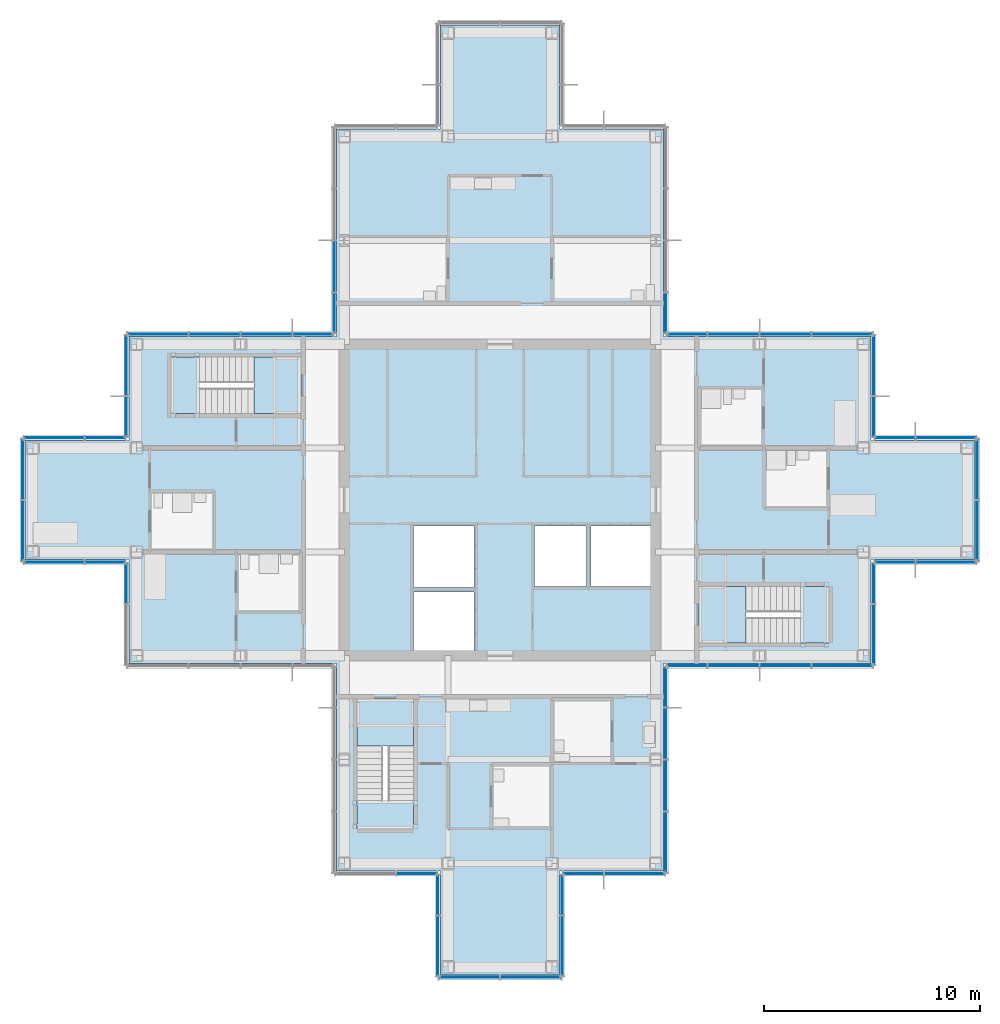
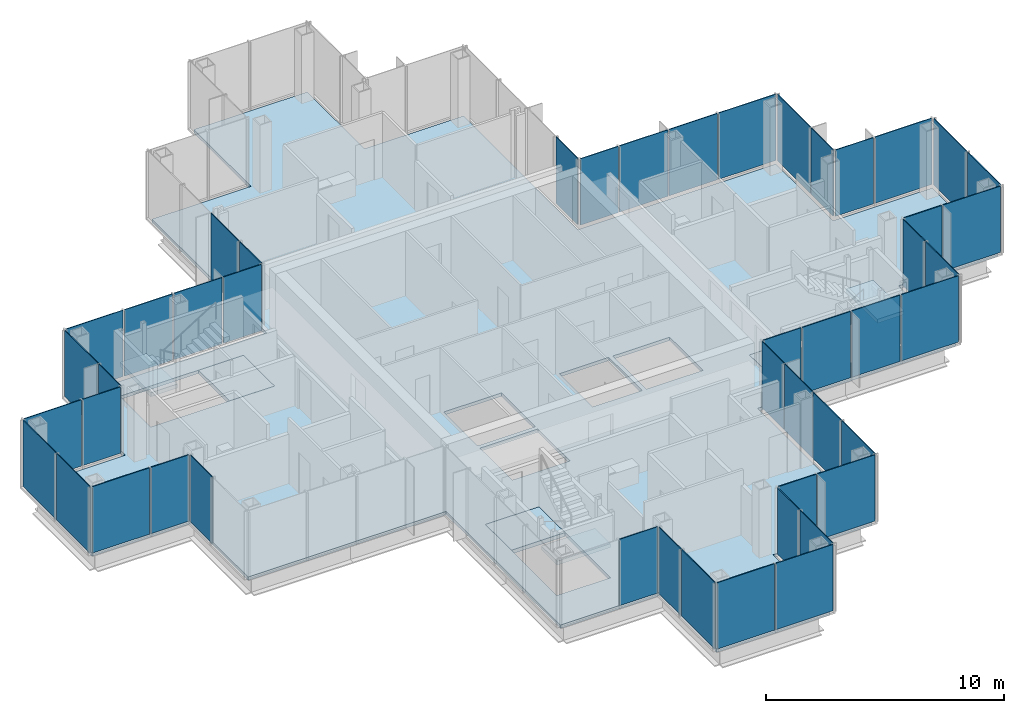
# One storey, part 10 of 17: 47 plates, 7 slabs, 24 elements without a shape of their own.
"""IFC4 building model written with IfcOpenShell, lengths in metres."""

from ifc_helpers import new_model, si_unit, direction, frame, origin, origin_2d, place, context, subcontext, project, spatial, polyline, rectangle, outline, extrude, material, layer, layer_set, type_object, element, aggregate, save


model = new_model("IFC4")

# Units and contexts
model_context = context("Model", 3, precision=1e-05, world=origin(), true_north=direction((0.0, 1.0)))
body_context = subcontext(model_context, "Body", "Model", "MODEL_VIEW")
ifc_project = project(units=[si_unit("LENGTHUNIT", "METRE"), si_unit("AREAUNIT", "SQUARE_METRE"), si_unit("VOLUMEUNIT", "CUBIC_METRE"), si_unit("PLANEANGLEUNIT", "RADIAN"), si_unit("MASSUNIT", "GRAM", prefix="KILO")], contexts=[model_context])

# Site, building, storey
site_placement = place(None, origin())
site = spatial("IfcSite", under=ifc_project, at=site_placement, CompositionType="ELEMENT")
building_placement = place(site_placement, origin())
building = spatial("IfcBuilding", under=site, at=building_placement, Name="Kvirike Care Tower", CompositionType="ELEMENT")
storey_placement = place(building_placement, frame((0.0, 0.0, 158.5)))
storey = spatial("IfcBuildingStorey", under=building, at=storey_placement, Name="L43", CompositionType="ELEMENT", Elevation=158.5)

# Slab
ifc_material_1 = material(Name="Concrete C35/45", Category="concrete")
ifc_layer_1 = layer(ifc_material_1, 0.169921875)
ifc_layer_set_1 = layer_set([ifc_layer_1], Name="FLOOR SLAB 170")
slab_type_1 = type_object("IfcSlabType", Name="FLOOR SLAB 170", PredefinedType="FLOOR", material=ifc_layer_set_1)
slab_1_placement = place(storey_placement, frame((0.0, 0.0, -0.169921875)))
element("IfcSlab", 1, at=slab_1_placement, inside=storey, type_object=slab_type_1, Name="Floor slab L43", PredefinedType="FLOOR", context=body_context, shape_type="SweptSolid", body=[
    extrude(outline(polyline([(29.14990234375, 28.449951171875), (38.75, 28.449951171875), (38.75, 33.25), (43.550048828125, 33.25), (43.550048828125, 38.75), (38.75, 38.75), (38.75, 43.550048828125), (29.14990234375, 43.550048828125), (29.14990234375, 53.14990234375), (24.35009765625, 53.14990234375), (24.35009765625, 57.949951171875), (18.85009765625, 57.949951171875), (18.85009765625, 53.14990234375), (14.050048828125, 53.14990234375), (14.050048828125, 43.550048828125), (4.449951171875, 43.550048828125), (4.449951171875, 38.75), (-0.35009765625, 38.75), (-0.35009765625, 33.25), (4.449951171875, 33.25), (4.449951171875, 28.449951171875), (14.050048828125, 28.449951171875), (14.050048828125, 18.85009765625), (18.85009765625, 18.85009765625), (18.85009765625, 14.050048828125), (24.35009765625, 14.050048828125), (24.35009765625, 18.85009765625), (29.14990234375, 18.85009765625), (29.14990234375, 28.449951171875)]), holes=[polyline([(17.60009765625, 29.050048828125), (17.60009765625, 31.75), (20.39990234375, 31.75), (20.39990234375, 29.050048828125), (17.60009765625, 29.050048828125)]), polyline([(17.60009765625, 31.949951171875), (17.60009765625, 34.800048828125), (20.39990234375, 34.800048828125), (20.39990234375, 31.949951171875), (17.60009765625, 31.949951171875)]), polyline([(23.199951171875, 32.0), (23.199951171875, 34.800048828125), (25.60009765625, 34.800048828125), (25.60009765625, 32.0), (23.199951171875, 32.0)]), polyline([(25.800048828125, 32.0), (25.800048828125, 34.800048828125), (28.550048828125, 34.800048828125), (28.550048828125, 32.0), (25.800048828125, 32.0)]), polyline([(12.39990234375, 42.60009765625), (12.39990234375, 40.0), (6.39990234375, 40.0), (6.39990234375, 42.60009765625), (12.39990234375, 42.60009765625)]), polyline([(30.800048828125, 29.39990234375), (30.800048828125, 32.0), (36.800048828125, 32.0), (36.800048828125, 29.39990234375), (30.800048828125, 29.39990234375)]), polyline([(15.0, 26.800048828125), (17.60009765625, 26.800048828125), (17.60009765625, 20.800048828125), (15.0, 20.800048828125), (15.0, 26.800048828125)])]), origin(), (0.0, 0.0, 1.0), 0.169921875),
])

# Stair, slabs
ifc_material_2 = material(Name="Concrete C35/45", Category="concrete")
stair_type = type_object("IfcStairType", Name="STAIR 20 RISERS", PredefinedType="HALF_TURN_STAIR", material=ifc_material_2)
stair_1_placement = place(storey_placement, origin())
stair_1 = element("IfcStair", 2, at=stair_1_placement, inside=storey, type_object=stair_type, Name="Stair 1 L43", PredefinedType="HALF_TURN_STAIR")
ifc_material_3 = material(Name="Concrete C35/45", Category="concrete")
ifc_layer_2 = layer(ifc_material_3, 0.199951171875)
ifc_layer_set_2 = layer_set([ifc_layer_2], Name="STAIR LANDING 200")
slab_type_2 = type_object("IfcSlabType", Name="STAIR LANDING 200", PredefinedType="LANDING", material=ifc_layer_set_2)
slab_2_placement = place(storey_placement, frame((0.0, 0.0, -0.199951171875)))
slab_2 = element("IfcSlab", 3, at=slab_2_placement, type_object=slab_type_2, Name="Stair S1 floor landing L43", PredefinedType="LANDING", context=body_context, shape_type="SweptSolid", body=[
    extrude(outline(polyline([(10.219970703125, 42.60009765625), (10.219970703125, 40.0), (12.39990234375, 40.0), (12.39990234375, 42.60009765625), (10.219970703125, 42.60009765625)])), origin(), (0.0, 0.0, 1.0), 0.199951171875),
])
slab_3_placement = place(storey_placement, frame((0.0, 0.0, 1.550048828125)))
slab_3 = element("IfcSlab", 4, at=slab_3_placement, type_object=slab_type_2, Name="Stair S1 half landing L43-L44", PredefinedType="LANDING", context=body_context, shape_type="SweptSolid", body=[
    extrude(outline(polyline([(6.39990234375, 42.60009765625), (6.39990234375, 40.0), (7.699951171875, 40.0), (7.699951171875, 42.60009765625), (6.39990234375, 42.60009765625)])), origin(), (0.0, 0.0, 1.0), 0.199951171875),
])
aggregate(stair_1, [slab_2, slab_3])

stair_2_placement = place(storey_placement, origin())
stair_2 = element("IfcStair", 5, at=stair_2_placement, inside=storey, type_object=stair_type, Name="Stair 2 L43", PredefinedType="HALF_TURN_STAIR")
slab_4_placement = place(storey_placement, frame((0.0, 0.0, -0.199951171875)))
slab_4 = element("IfcSlab", 6, at=slab_4_placement, type_object=slab_type_2, Name="Stair S2 floor landing L43", PredefinedType="LANDING", context=body_context, shape_type="SweptSolid", body=[
    extrude(outline(polyline([(32.97998046875, 29.39990234375), (32.97998046875, 32.0), (30.800048828125, 32.0), (30.800048828125, 29.39990234375), (32.97998046875, 29.39990234375)])), origin(), (0.0, 0.0, 1.0), 0.199951171875),
])
slab_5_placement = place(storey_placement, frame((0.0, 0.0, 1.550048828125)))
slab_5 = element("IfcSlab", 7, at=slab_5_placement, type_object=slab_type_2, Name="Stair S2 half landing L43-L44", PredefinedType="LANDING", context=body_context, shape_type="SweptSolid", body=[
    extrude(outline(polyline([(36.800048828125, 29.39990234375), (36.800048828125, 32.0), (35.5, 32.0), (35.5, 29.39990234375), (36.800048828125, 29.39990234375)])), origin(), (0.0, 0.0, 1.0), 0.199951171875),
])
aggregate(stair_2, [slab_4, slab_5])

stair_3_placement = place(storey_placement, origin())
stair_3 = element("IfcStair", 8, at=stair_3_placement, inside=storey, type_object=stair_type, Name="Stair 5 L43", PredefinedType="HALF_TURN_STAIR")
slab_6_placement = place(storey_placement, frame((0.0, 0.0, -0.199951171875)))
slab_6 = element("IfcSlab", 9, at=slab_6_placement, type_object=slab_type_2, Name="Stair S5 floor landing L43", PredefinedType="LANDING", context=body_context, shape_type="SweptSolid", body=[
    extrude(outline(polyline([(15.0, 24.6201171875), (17.60009765625, 24.6201171875), (17.60009765625, 26.800048828125), (15.0, 26.800048828125), (15.0, 24.6201171875)])), origin(), (0.0, 0.0, 1.0), 0.199951171875),
])
slab_7_placement = place(storey_placement, frame((0.0, 0.0, 1.550048828125)))
slab_7 = element("IfcSlab", 10, at=slab_7_placement, type_object=slab_type_2, Name="Stair S5 half landing L43-L44", PredefinedType="LANDING", context=body_context, shape_type="SweptSolid", body=[
    extrude(outline(polyline([(15.0, 20.800048828125), (17.60009765625, 20.800048828125), (17.60009765625, 22.10009765625), (15.0, 22.10009765625), (15.0, 20.800048828125)])), origin(), (0.0, 0.0, 1.0), 0.199951171875),
])
aggregate(stair_3, [slab_6, slab_7])

# Curtain wall, plates
ifc_material_4 = material(Name="Anodised aluminium stick system", Category="aluminium")
curtain_wall_type = type_object("IfcCurtainWallType", Name="CW-C STICK CURTAIN WALL", PredefinedType="NOTDEFINED", material=ifc_material_4)
curtain_wall_1_placement = place(storey_placement, origin())
curtain_wall_1 = element("IfcCurtainWall", 11, at=curtain_wall_1_placement, inside=storey, type_object=curtain_wall_type, Name="Curtain wall L43 face 1", PredefinedType="NOTDEFINED")
ifc_material_5 = material(Name="Tinted double glazed unit", Category="glass")
ifc_layer_3 = layer(ifc_material_5, 0.0400390625)
ifc_layer_set_3 = layer_set([ifc_layer_3], Name="TINTED VISION PANEL 40")
plate_type = type_object("IfcPlateType", Name="TINTED VISION PANEL 40", PredefinedType="CURTAIN_PANEL", material=ifc_layer_set_3)
plate_1_placement = place(storey_placement, frame((30.251220703125, 28.330078125, 0.10009765625), z_axis=(0.0, 0.0, 1.0), x_axis=(1.0, 0.0, 0.0)))
plate_1 = element("IfcPlate", 12, at=plate_1_placement, type_object=plate_type, Name="CW-C panel L43 face 1.1", PredefinedType="CURTAIN_PANEL", context=body_context, shape_type="SweptSolid", body=[
    extrude(rectangle(XDim=1.83251953125, YDim=0.0400390625, at=origin_2d()), origin(), (0.0, 0.0, 1.0), 3.39990234375),
])
plate_2_placement = place(storey_placement, frame((32.39990234375, 28.330078125, 0.10009765625), z_axis=(0.0, 0.0, 1.0), x_axis=(1.0, 0.0, 0.0)))
plate_2 = element("IfcPlate", 13, at=plate_2_placement, type_object=plate_type, Name="CW-C panel L43 face 1.2", PredefinedType="CURTAIN_PANEL", context=body_context, shape_type="SweptSolid", body=[
    extrude(rectangle(XDim=2.3349609375, YDim=0.0400390625, at=origin_2d()), origin(), (0.0, 0.0, 1.0), 3.39990234375),
])
plate_3_placement = place(storey_placement, frame((34.800048828125, 28.330078125, 0.10009765625), z_axis=(0.0, 0.0, 1.0), x_axis=(1.0, 0.0, 0.0)))
plate_3 = element("IfcPlate", 14, at=plate_3_placement, type_object=plate_type, Name="CW-C panel L43 face 1.3", PredefinedType="CURTAIN_PANEL", context=body_context, shape_type="SweptSolid", body=[
    extrude(rectangle(XDim=2.3349609375, YDim=0.0400390625, at=origin_2d()), origin(), (0.0, 0.0, 1.0), 3.39990234375),
])
plate_4_placement = place(storey_placement, frame((37.418701171875, 28.330078125, 0.10009765625), z_axis=(0.0, 0.0, 1.0), x_axis=(1.0, 0.0, 0.0)))
plate_4 = element("IfcPlate", 15, at=plate_4_placement, type_object=plate_type, Name="CW-C panel L43 face 1.4", PredefinedType="CURTAIN_PANEL", context=body_context, shape_type="SweptSolid", body=[
    extrude(rectangle(XDim=2.7724609375, YDim=0.0400390625, at=origin_2d()), origin(), (0.0, 0.0, 1.0), 3.39990234375),
])
aggregate(curtain_wall_1, [plate_1, plate_2, plate_3, plate_4])

curtain_wall_2_placement = place(storey_placement, origin())
curtain_wall_2 = element("IfcCurtainWall", 16, at=curtain_wall_2_placement, inside=storey, type_object=curtain_wall_type, Name="Curtain wall L43 face 2", PredefinedType="NOTDEFINED")
plate_5_placement = place(storey_placement, frame((38.8701171875, 29.78125, 0.10009765625), z_axis=(0.0, 0.0, 1.0), x_axis=(0.0, 1.0, 0.0)))
plate_5 = element("IfcPlate", 17, at=plate_5_placement, type_object=plate_type, Name="CW-C panel L43 face 2.1", PredefinedType="CURTAIN_PANEL", context=body_context, shape_type="SweptSolid", body=[
    extrude(rectangle(XDim=2.7724609375, YDim=0.0400390625, at=origin_2d()), origin(), (0.0, 0.0, 1.0), 3.39990234375),
])
plate_6_placement = place(storey_placement, frame((38.8701171875, 32.148681640625, 0.10009765625), z_axis=(0.0, 0.0, 1.0), x_axis=(0.0, 1.0, 0.0)))
plate_6 = element("IfcPlate", 18, at=plate_6_placement, type_object=plate_type, Name="CW-C panel L43 face 2.2", PredefinedType="CURTAIN_PANEL", context=body_context, shape_type="SweptSolid", body=[
    extrude(rectangle(XDim=1.83251953125, YDim=0.0400390625, at=origin_2d()), origin(), (0.0, 0.0, 1.0), 3.39990234375),
])
aggregate(curtain_wall_2, [plate_5, plate_6])

curtain_wall_3_placement = place(storey_placement, origin())
curtain_wall_3 = element("IfcCurtainWall", 19, at=curtain_wall_3_placement, inside=storey, type_object=curtain_wall_type, Name="Curtain wall L43 face 3", PredefinedType="NOTDEFINED")
plate_7_placement = place(storey_placement, frame((39.851318359375, 33.1298828125, 0.10009765625), z_axis=(0.0, 0.0, 1.0), x_axis=(1.0, 0.0, 0.0)))
plate_7 = element("IfcPlate", 20, at=plate_7_placement, type_object=plate_type, Name="CW-C panel L43 face 3.1", PredefinedType="CURTAIN_PANEL", context=body_context, shape_type="SweptSolid", body=[
    extrude(rectangle(XDim=1.83251953125, YDim=0.0400390625, at=origin_2d()), origin(), (0.0, 0.0, 1.0), 3.39990234375),
])
plate_8_placement = place(storey_placement, frame((42.21875, 33.1298828125, 0.10009765625), z_axis=(0.0, 0.0, 1.0), x_axis=(1.0, 0.0, 0.0)))
plate_8 = element("IfcPlate", 21, at=plate_8_placement, type_object=plate_type, Name="CW-C panel L43 face 3.2", PredefinedType="CURTAIN_PANEL", context=body_context, shape_type="SweptSolid", body=[
    extrude(rectangle(XDim=2.7724609375, YDim=0.0400390625, at=origin_2d()), origin(), (0.0, 0.0, 1.0), 3.39990234375),
])
aggregate(curtain_wall_3, [plate_7, plate_8])

curtain_wall_4_placement = place(storey_placement, origin())
curtain_wall_4 = element("IfcCurtainWall", 22, at=curtain_wall_4_placement, inside=storey, type_object=curtain_wall_type, Name="Curtain wall L43 face 4", PredefinedType="NOTDEFINED")
plate_9_placement = place(storey_placement, frame((43.669921875, 34.581298828125, 0.10009765625), z_axis=(0.0, 0.0, 1.0), x_axis=(0.0, 1.0, 0.0)))
plate_9 = element("IfcPlate", 23, at=plate_9_placement, type_object=plate_type, Name="CW-C panel L43 face 4.1", PredefinedType="CURTAIN_PANEL", context=body_context, shape_type="SweptSolid", body=[
    extrude(rectangle(XDim=2.7724609375, YDim=0.0400390625, at=origin_2d()), origin(), (0.0, 0.0, 1.0), 3.39990234375),
])
plate_10_placement = place(storey_placement, frame((43.669921875, 37.418701171875, 0.10009765625), z_axis=(0.0, 0.0, 1.0), x_axis=(0.0, 1.0, 0.0)))
plate_10 = element("IfcPlate", 24, at=plate_10_placement, type_object=plate_type, Name="CW-C panel L43 face 4.2", PredefinedType="CURTAIN_PANEL", context=body_context, shape_type="SweptSolid", body=[
    extrude(rectangle(XDim=2.7724609375, YDim=0.0400390625, at=origin_2d()), origin(), (0.0, 0.0, 1.0), 3.39990234375),
])
aggregate(curtain_wall_4, [plate_9, plate_10])

curtain_wall_5_placement = place(storey_placement, origin())
curtain_wall_5 = element("IfcCurtainWall", 25, at=curtain_wall_5_placement, inside=storey, type_object=curtain_wall_type, Name="Curtain wall L43 face 5", PredefinedType="NOTDEFINED")
plate_11_placement = place(storey_placement, frame((42.21875, 38.8701171875, 0.10009765625), z_axis=(0.0, 0.0, 1.0), x_axis=(-1.0, 0.0, 0.0)))
plate_11 = element("IfcPlate", 26, at=plate_11_placement, type_object=plate_type, Name="CW-C panel L43 face 5.1", PredefinedType="CURTAIN_PANEL", context=body_context, shape_type="SweptSolid", body=[
    extrude(rectangle(XDim=2.7724609375, YDim=0.0400390625, at=origin_2d()), origin(), (0.0, 0.0, 1.0), 3.39990234375),
])
plate_12_placement = place(storey_placement, frame((39.851318359375, 38.8701171875, 0.10009765625), z_axis=(0.0, 0.0, 1.0), x_axis=(-1.0, 0.0, 0.0)))
plate_12 = element("IfcPlate", 27, at=plate_12_placement, type_object=plate_type, Name="CW-C panel L43 face 5.2", PredefinedType="CURTAIN_PANEL", context=body_context, shape_type="SweptSolid", body=[
    extrude(rectangle(XDim=1.83251953125, YDim=0.0400390625, at=origin_2d()), origin(), (0.0, 0.0, 1.0), 3.39990234375),
])
aggregate(curtain_wall_5, [plate_11, plate_12])

curtain_wall_6_placement = place(storey_placement, origin())
curtain_wall_6 = element("IfcCurtainWall", 28, at=curtain_wall_6_placement, inside=storey, type_object=curtain_wall_type, Name="Curtain wall L43 face 6", PredefinedType="NOTDEFINED")
plate_13_placement = place(storey_placement, frame((38.8701171875, 39.851318359375, 0.10009765625), z_axis=(0.0, 0.0, 1.0), x_axis=(0.0, 1.0, 0.0)))
plate_13 = element("IfcPlate", 29, at=plate_13_placement, type_object=plate_type, Name="CW-C panel L43 face 6.1", PredefinedType="CURTAIN_PANEL", context=body_context, shape_type="SweptSolid", body=[
    extrude(rectangle(XDim=1.83251953125, YDim=0.0400390625, at=origin_2d()), origin(), (0.0, 0.0, 1.0), 3.39990234375),
])
plate_14_placement = place(storey_placement, frame((38.8701171875, 42.21875, 0.10009765625), z_axis=(0.0, 0.0, 1.0), x_axis=(0.0, 1.0, 0.0)))
plate_14 = element("IfcPlate", 30, at=plate_14_placement, type_object=plate_type, Name="CW-C panel L43 face 6.2", PredefinedType="CURTAIN_PANEL", context=body_context, shape_type="SweptSolid", body=[
    extrude(rectangle(XDim=2.7724609375, YDim=0.0400390625, at=origin_2d()), origin(), (0.0, 0.0, 1.0), 3.39990234375),
])
aggregate(curtain_wall_6, [plate_13, plate_14])

curtain_wall_7_placement = place(storey_placement, origin())
curtain_wall_7 = element("IfcCurtainWall", 31, at=curtain_wall_7_placement, inside=storey, type_object=curtain_wall_type, Name="Curtain wall L43 face 7", PredefinedType="NOTDEFINED")
plate_15_placement = place(storey_placement, frame((37.418701171875, 43.669921875, 0.10009765625), z_axis=(0.0, 0.0, 1.0), x_axis=(-1.0, 0.0, 0.0)))
plate_15 = element("IfcPlate", 32, at=plate_15_placement, type_object=plate_type, Name="CW-C panel L43 face 7.1", PredefinedType="CURTAIN_PANEL", context=body_context, shape_type="SweptSolid", body=[
    extrude(rectangle(XDim=2.7724609375, YDim=0.0400390625, at=origin_2d()), origin(), (0.0, 0.0, 1.0), 3.39990234375),
])
plate_16_placement = place(storey_placement, frame((34.800048828125, 43.669921875, 0.10009765625), z_axis=(0.0, 0.0, 1.0), x_axis=(-1.0, 0.0, 0.0)))
plate_16 = element("IfcPlate", 33, at=plate_16_placement, type_object=plate_type, Name="CW-C panel L43 face 7.2", PredefinedType="CURTAIN_PANEL", context=body_context, shape_type="SweptSolid", body=[
    extrude(rectangle(XDim=2.3349609375, YDim=0.0400390625, at=origin_2d()), origin(), (0.0, 0.0, 1.0), 3.39990234375),
])
plate_17_placement = place(storey_placement, frame((32.39990234375, 43.669921875, 0.10009765625), z_axis=(0.0, 0.0, 1.0), x_axis=(-1.0, 0.0, 0.0)))
plate_17 = element("IfcPlate", 34, at=plate_17_placement, type_object=plate_type, Name="CW-C panel L43 face 7.3", PredefinedType="CURTAIN_PANEL", context=body_context, shape_type="SweptSolid", body=[
    extrude(rectangle(XDim=2.3349609375, YDim=0.0400390625, at=origin_2d()), origin(), (0.0, 0.0, 1.0), 3.39990234375),
])
plate_18_placement = place(storey_placement, frame((30.251220703125, 43.669921875, 0.10009765625), z_axis=(0.0, 0.0, 1.0), x_axis=(-1.0, 0.0, 0.0)))
plate_18 = element("IfcPlate", 35, at=plate_18_placement, type_object=plate_type, Name="CW-C panel L43 face 7.4", PredefinedType="CURTAIN_PANEL", context=body_context, shape_type="SweptSolid", body=[
    extrude(rectangle(XDim=1.83251953125, YDim=0.0400390625, at=origin_2d()), origin(), (0.0, 0.0, 1.0), 3.39990234375),
])
aggregate(curtain_wall_7, [plate_15, plate_16, plate_17, plate_18])

# Curtain wall, plate
curtain_wall_8_placement = place(storey_placement, origin())
curtain_wall_8 = element("IfcCurtainWall", 36, at=curtain_wall_8_placement, inside=storey, type_object=curtain_wall_type, Name="Curtain wall L43 face 8", PredefinedType="NOTDEFINED")
plate_19_placement = place(storey_placement, frame((29.27001953125, 44.6513671875, 0.10009765625), z_axis=(0.0, 0.0, 1.0), x_axis=(0.0, 1.0, 0.0)))
plate_19 = element("IfcPlate", 37, at=plate_19_placement, type_object=plate_type, Name="CW-C panel L43 face 8.1", PredefinedType="CURTAIN_PANEL", context=body_context, shape_type="SweptSolid", body=[
    extrude(rectangle(XDim=1.83251953125, YDim=0.0400390625, at=origin_2d()), origin(), (0.0, 0.0, 1.0), 3.39990234375),
])
aggregate(curtain_wall_8, [plate_19])

# Curtain wall, plates
curtain_wall_9_placement = place(storey_placement, origin())
curtain_wall_9 = element("IfcCurtainWall", 38, at=curtain_wall_9_placement, inside=storey, type_object=curtain_wall_type, Name="Curtain wall L43 face 14", PredefinedType="NOTDEFINED")
plate_20_placement = place(storey_placement, frame((13.929931640625, 46.800048828125, 0.10009765625), z_axis=(0.0, 0.0, 1.0), x_axis=(0.0, -1.0, 0.0)))
plate_20 = element("IfcPlate", 39, at=plate_20_placement, type_object=plate_type, Name="CW-C panel L43 face 14.3", PredefinedType="CURTAIN_PANEL", context=body_context, shape_type="SweptSolid", body=[
    extrude(rectangle(XDim=2.3349609375, YDim=0.0400390625, at=origin_2d()), origin(), (0.0, 0.0, 1.0), 3.39990234375),
])
plate_21_placement = place(storey_placement, frame((13.929931640625, 44.6513671875, 0.10009765625), z_axis=(0.0, 0.0, 1.0), x_axis=(0.0, -1.0, 0.0)))
plate_21 = element("IfcPlate", 40, at=plate_21_placement, type_object=plate_type, Name="CW-C panel L43 face 14.4", PredefinedType="CURTAIN_PANEL", context=body_context, shape_type="SweptSolid", body=[
    extrude(rectangle(XDim=1.83251953125, YDim=0.0400390625, at=origin_2d()), origin(), (0.0, 0.0, 1.0), 3.39990234375),
])
aggregate(curtain_wall_9, [plate_20, plate_21])

curtain_wall_10_placement = place(storey_placement, origin())
curtain_wall_10 = element("IfcCurtainWall", 41, at=curtain_wall_10_placement, inside=storey, type_object=curtain_wall_type, Name="Curtain wall L43 face 15", PredefinedType="NOTDEFINED")
plate_22_placement = place(storey_placement, frame((12.94873046875, 43.669921875, 0.10009765625), z_axis=(0.0, 0.0, 1.0), x_axis=(-1.0, 0.0, 0.0)))
plate_22 = element("IfcPlate", 42, at=plate_22_placement, type_object=plate_type, Name="CW-C panel L43 face 15.1", PredefinedType="CURTAIN_PANEL", context=body_context, shape_type="SweptSolid", body=[
    extrude(rectangle(XDim=1.83251953125, YDim=0.0400390625, at=origin_2d()), origin(), (0.0, 0.0, 1.0), 3.39990234375),
])
plate_23_placement = place(storey_placement, frame((10.800048828125, 43.669921875, 0.10009765625), z_axis=(0.0, 0.0, 1.0), x_axis=(-1.0, 0.0, 0.0)))
plate_23 = element("IfcPlate", 43, at=plate_23_placement, type_object=plate_type, Name="CW-C panel L43 face 15.2", PredefinedType="CURTAIN_PANEL", context=body_context, shape_type="SweptSolid", body=[
    extrude(rectangle(XDim=2.3349609375, YDim=0.0400390625, at=origin_2d()), origin(), (0.0, 0.0, 1.0), 3.39990234375),
])
plate_24_placement = place(storey_placement, frame((8.39990234375, 43.669921875, 0.10009765625), z_axis=(0.0, 0.0, 1.0), x_axis=(-1.0, 0.0, 0.0)))
plate_24 = element("IfcPlate", 44, at=plate_24_placement, type_object=plate_type, Name="CW-C panel L43 face 15.3", PredefinedType="CURTAIN_PANEL", context=body_context, shape_type="SweptSolid", body=[
    extrude(rectangle(XDim=2.3349609375, YDim=0.0400390625, at=origin_2d()), origin(), (0.0, 0.0, 1.0), 3.39990234375),
])
plate_25_placement = place(storey_placement, frame((5.78125, 43.669921875, 0.10009765625), z_axis=(0.0, 0.0, 1.0), x_axis=(-1.0, 0.0, 0.0)))
plate_25 = element("IfcPlate", 45, at=plate_25_placement, type_object=plate_type, Name="CW-C panel L43 face 15.4", PredefinedType="CURTAIN_PANEL", context=body_context, shape_type="SweptSolid", body=[
    extrude(rectangle(XDim=2.7724609375, YDim=0.0400390625, at=origin_2d()), origin(), (0.0, 0.0, 1.0), 3.39990234375),
])
aggregate(curtain_wall_10, [plate_22, plate_23, plate_24, plate_25])

curtain_wall_11_placement = place(storey_placement, origin())
curtain_wall_11 = element("IfcCurtainWall", 46, at=curtain_wall_11_placement, inside=storey, type_object=curtain_wall_type, Name="Curtain wall L43 face 16", PredefinedType="NOTDEFINED")
plate_26_placement = place(storey_placement, frame((4.330078125, 42.21875, 0.10009765625), z_axis=(0.0, 0.0, 1.0), x_axis=(0.0, -1.0, 0.0)))
plate_26 = element("IfcPlate", 47, at=plate_26_placement, type_object=plate_type, Name="CW-C panel L43 face 16.1", PredefinedType="CURTAIN_PANEL", context=body_context, shape_type="SweptSolid", body=[
    extrude(rectangle(XDim=2.7724609375, YDim=0.0400390625, at=origin_2d()), origin(), (0.0, 0.0, 1.0), 3.39990234375),
])
plate_27_placement = place(storey_placement, frame((4.330078125, 39.851318359375, 0.10009765625), z_axis=(0.0, 0.0, 1.0), x_axis=(0.0, -1.0, 0.0)))
plate_27 = element("IfcPlate", 48, at=plate_27_placement, type_object=plate_type, Name="CW-C panel L43 face 16.2", PredefinedType="CURTAIN_PANEL", context=body_context, shape_type="SweptSolid", body=[
    extrude(rectangle(XDim=1.83251953125, YDim=0.0400390625, at=origin_2d()), origin(), (0.0, 0.0, 1.0), 3.39990234375),
])
aggregate(curtain_wall_11, [plate_26, plate_27])

curtain_wall_12_placement = place(storey_placement, origin())
curtain_wall_12 = element("IfcCurtainWall", 49, at=curtain_wall_12_placement, inside=storey, type_object=curtain_wall_type, Name="Curtain wall L43 face 17", PredefinedType="NOTDEFINED")
plate_28_placement = place(storey_placement, frame((3.3486328125, 38.8701171875, 0.10009765625), z_axis=(0.0, 0.0, 1.0), x_axis=(-1.0, 0.0, 0.0)))
plate_28 = element("IfcPlate", 50, at=plate_28_placement, type_object=plate_type, Name="CW-C panel L43 face 17.1", PredefinedType="CURTAIN_PANEL", context=body_context, shape_type="SweptSolid", body=[
    extrude(rectangle(XDim=1.83251953125, YDim=0.0400390625, at=origin_2d()), origin(), (0.0, 0.0, 1.0), 3.39990234375),
])
plate_29_placement = place(storey_placement, frame((0.981201171875, 38.8701171875, 0.10009765625), z_axis=(0.0, 0.0, 1.0), x_axis=(-1.0, 0.0, 0.0)))
plate_29 = element("IfcPlate", 51, at=plate_29_placement, type_object=plate_type, Name="CW-C panel L43 face 17.2", PredefinedType="CURTAIN_PANEL", context=body_context, shape_type="SweptSolid", body=[
    extrude(rectangle(XDim=2.7724609375, YDim=0.0400390625, at=origin_2d()), origin(), (0.0, 0.0, 1.0), 3.39990234375),
])
aggregate(curtain_wall_12, [plate_28, plate_29])

curtain_wall_13_placement = place(storey_placement, origin())
curtain_wall_13 = element("IfcCurtainWall", 52, at=curtain_wall_13_placement, inside=storey, type_object=curtain_wall_type, Name="Curtain wall L43 face 18", PredefinedType="NOTDEFINED")
plate_30_placement = place(storey_placement, frame((-0.469970703125, 37.418701171875, 0.10009765625), z_axis=(0.0, 0.0, 1.0), x_axis=(0.0, -1.0, 0.0)))
plate_30 = element("IfcPlate", 53, at=plate_30_placement, type_object=plate_type, Name="CW-C panel L43 face 18.1", PredefinedType="CURTAIN_PANEL", context=body_context, shape_type="SweptSolid", body=[
    extrude(rectangle(XDim=2.7724609375, YDim=0.0400390625, at=origin_2d()), origin(), (0.0, 0.0, 1.0), 3.39990234375),
])
plate_31_placement = place(storey_placement, frame((-0.469970703125, 34.581298828125, 0.10009765625), z_axis=(0.0, 0.0, 1.0), x_axis=(0.0, -1.0, 0.0)))
plate_31 = element("IfcPlate", 54, at=plate_31_placement, type_object=plate_type, Name="CW-C panel L43 face 18.2", PredefinedType="CURTAIN_PANEL", context=body_context, shape_type="SweptSolid", body=[
    extrude(rectangle(XDim=2.7724609375, YDim=0.0400390625, at=origin_2d()), origin(), (0.0, 0.0, 1.0), 3.39990234375),
])
aggregate(curtain_wall_13, [plate_30, plate_31])

curtain_wall_14_placement = place(storey_placement, origin())
curtain_wall_14 = element("IfcCurtainWall", 55, at=curtain_wall_14_placement, inside=storey, type_object=curtain_wall_type, Name="Curtain wall L43 face 19", PredefinedType="NOTDEFINED")
plate_32_placement = place(storey_placement, frame((0.981201171875, 33.1298828125, 0.10009765625), z_axis=(0.0, 0.0, 1.0), x_axis=(1.0, 0.0, 0.0)))
plate_32 = element("IfcPlate", 56, at=plate_32_placement, type_object=plate_type, Name="CW-C panel L43 face 19.1", PredefinedType="CURTAIN_PANEL", context=body_context, shape_type="SweptSolid", body=[
    extrude(rectangle(XDim=2.7724609375, YDim=0.0400390625, at=origin_2d()), origin(), (0.0, 0.0, 1.0), 3.39990234375),
])
plate_33_placement = place(storey_placement, frame((3.3486328125, 33.1298828125, 0.10009765625), z_axis=(0.0, 0.0, 1.0), x_axis=(1.0, 0.0, 0.0)))
plate_33 = element("IfcPlate", 57, at=plate_33_placement, type_object=plate_type, Name="CW-C panel L43 face 19.2", PredefinedType="CURTAIN_PANEL", context=body_context, shape_type="SweptSolid", body=[
    extrude(rectangle(XDim=1.83251953125, YDim=0.0400390625, at=origin_2d()), origin(), (0.0, 0.0, 1.0), 3.39990234375),
])
aggregate(curtain_wall_14, [plate_32, plate_33])

# Curtain wall, plate
curtain_wall_15_placement = place(storey_placement, origin())
curtain_wall_15 = element("IfcCurtainWall", 58, at=curtain_wall_15_placement, inside=storey, type_object=curtain_wall_type, Name="Curtain wall L43 face 20", PredefinedType="NOTDEFINED")
plate_34_placement = place(storey_placement, frame((4.330078125, 32.148681640625, 0.10009765625), z_axis=(0.0, 0.0, 1.0), x_axis=(0.0, -1.0, 0.0)))
plate_34 = element("IfcPlate", 59, at=plate_34_placement, type_object=plate_type, Name="CW-C panel L43 face 20.1", PredefinedType="CURTAIN_PANEL", context=body_context, shape_type="SweptSolid", body=[
    extrude(rectangle(XDim=1.83251953125, YDim=0.0400390625, at=origin_2d()), origin(), (0.0, 0.0, 1.0), 3.39990234375),
])
aggregate(curtain_wall_15, [plate_34])

curtain_wall_16_placement = place(storey_placement, origin())
curtain_wall_16 = element("IfcCurtainWall", 60, at=curtain_wall_16_placement, inside=storey, type_object=curtain_wall_type, Name="Curtain wall L43 face 23", PredefinedType="NOTDEFINED")
plate_35_placement = place(storey_placement, frame((17.748779296875, 18.72998046875, 0.10009765625), z_axis=(0.0, 0.0, 1.0), x_axis=(1.0, 0.0, 0.0)))
plate_35 = element("IfcPlate", 61, at=plate_35_placement, type_object=plate_type, Name="CW-C panel L43 face 23.2", PredefinedType="CURTAIN_PANEL", context=body_context, shape_type="SweptSolid", body=[
    extrude(rectangle(XDim=1.83251953125, YDim=0.0400390625, at=origin_2d()), origin(), (0.0, 0.0, 1.0), 3.39990234375),
])
aggregate(curtain_wall_16, [plate_35])

# Curtain wall, plates
curtain_wall_17_placement = place(storey_placement, origin())
curtain_wall_17 = element("IfcCurtainWall", 62, at=curtain_wall_17_placement, inside=storey, type_object=curtain_wall_type, Name="Curtain wall L43 face 24", PredefinedType="NOTDEFINED")
plate_36_placement = place(storey_placement, frame((18.72998046875, 17.748779296875, 0.10009765625), z_axis=(0.0, 0.0, 1.0), x_axis=(0.0, -1.0, 0.0)))
plate_36 = element("IfcPlate", 63, at=plate_36_placement, type_object=plate_type, Name="CW-C panel L43 face 24.1", PredefinedType="CURTAIN_PANEL", context=body_context, shape_type="SweptSolid", body=[
    extrude(rectangle(XDim=1.83251953125, YDim=0.0400390625, at=origin_2d()), origin(), (0.0, 0.0, 1.0), 3.39990234375),
])
plate_37_placement = place(storey_placement, frame((18.72998046875, 15.38134765625, 0.10009765625), z_axis=(0.0, 0.0, 1.0), x_axis=(0.0, -1.0, 0.0)))
plate_37 = element("IfcPlate", 64, at=plate_37_placement, type_object=plate_type, Name="CW-C panel L43 face 24.2", PredefinedType="CURTAIN_PANEL", context=body_context, shape_type="SweptSolid", body=[
    extrude(rectangle(XDim=2.7724609375, YDim=0.0400390625, at=origin_2d()), origin(), (0.0, 0.0, 1.0), 3.39990234375),
])
aggregate(curtain_wall_17, [plate_36, plate_37])

curtain_wall_18_placement = place(storey_placement, origin())
curtain_wall_18 = element("IfcCurtainWall", 65, at=curtain_wall_18_placement, inside=storey, type_object=curtain_wall_type, Name="Curtain wall L43 face 25", PredefinedType="NOTDEFINED")
plate_38_placement = place(storey_placement, frame((20.18115234375, 13.929931640625, 0.10009765625), z_axis=(0.0, 0.0, 1.0), x_axis=(1.0, 0.0, 0.0)))
plate_38 = element("IfcPlate", 66, at=plate_38_placement, type_object=plate_type, Name="CW-C panel L43 face 25.1", PredefinedType="CURTAIN_PANEL", context=body_context, shape_type="SweptSolid", body=[
    extrude(rectangle(XDim=2.7724609375, YDim=0.0400390625, at=origin_2d()), origin(), (0.0, 0.0, 1.0), 3.39990234375),
])
plate_39_placement = place(storey_placement, frame((23.018798828125, 13.929931640625, 0.10009765625), z_axis=(0.0, 0.0, 1.0), x_axis=(1.0, 0.0, 0.0)))
plate_39 = element("IfcPlate", 67, at=plate_39_placement, type_object=plate_type, Name="CW-C panel L43 face 25.2", PredefinedType="CURTAIN_PANEL", context=body_context, shape_type="SweptSolid", body=[
    extrude(rectangle(XDim=2.7724609375, YDim=0.0400390625, at=origin_2d()), origin(), (0.0, 0.0, 1.0), 3.39990234375),
])
aggregate(curtain_wall_18, [plate_38, plate_39])

curtain_wall_19_placement = place(storey_placement, origin())
curtain_wall_19 = element("IfcCurtainWall", 68, at=curtain_wall_19_placement, inside=storey, type_object=curtain_wall_type, Name="Curtain wall L43 face 26", PredefinedType="NOTDEFINED")
plate_40_placement = place(storey_placement, frame((24.469970703125, 15.38134765625, 0.10009765625), z_axis=(0.0, 0.0, 1.0), x_axis=(0.0, 1.0, 0.0)))
plate_40 = element("IfcPlate", 69, at=plate_40_placement, type_object=plate_type, Name="CW-C panel L43 face 26.1", PredefinedType="CURTAIN_PANEL", context=body_context, shape_type="SweptSolid", body=[
    extrude(rectangle(XDim=2.7724609375, YDim=0.0400390625, at=origin_2d()), origin(), (0.0, 0.0, 1.0), 3.39990234375),
])
plate_41_placement = place(storey_placement, frame((24.469970703125, 17.748779296875, 0.10009765625), z_axis=(0.0, 0.0, 1.0), x_axis=(0.0, 1.0, 0.0)))
plate_41 = element("IfcPlate", 70, at=plate_41_placement, type_object=plate_type, Name="CW-C panel L43 face 26.2", PredefinedType="CURTAIN_PANEL", context=body_context, shape_type="SweptSolid", body=[
    extrude(rectangle(XDim=1.83251953125, YDim=0.0400390625, at=origin_2d()), origin(), (0.0, 0.0, 1.0), 3.39990234375),
])
aggregate(curtain_wall_19, [plate_40, plate_41])

curtain_wall_20_placement = place(storey_placement, origin())
curtain_wall_20 = element("IfcCurtainWall", 71, at=curtain_wall_20_placement, inside=storey, type_object=curtain_wall_type, Name="Curtain wall L43 face 27", PredefinedType="NOTDEFINED")
plate_42_placement = place(storey_placement, frame((25.451171875, 18.72998046875, 0.10009765625), z_axis=(0.0, 0.0, 1.0), x_axis=(1.0, 0.0, 0.0)))
plate_42 = element("IfcPlate", 72, at=plate_42_placement, type_object=plate_type, Name="CW-C panel L43 face 27.1", PredefinedType="CURTAIN_PANEL", context=body_context, shape_type="SweptSolid", body=[
    extrude(rectangle(XDim=1.83251953125, YDim=0.0400390625, at=origin_2d()), origin(), (0.0, 0.0, 1.0), 3.39990234375),
])
plate_43_placement = place(storey_placement, frame((27.81884765625, 18.72998046875, 0.10009765625), z_axis=(0.0, 0.0, 1.0), x_axis=(1.0, 0.0, 0.0)))
plate_43 = element("IfcPlate", 73, at=plate_43_placement, type_object=plate_type, Name="CW-C panel L43 face 27.2", PredefinedType="CURTAIN_PANEL", context=body_context, shape_type="SweptSolid", body=[
    extrude(rectangle(XDim=2.7724609375, YDim=0.0400390625, at=origin_2d()), origin(), (0.0, 0.0, 1.0), 3.39990234375),
])
aggregate(curtain_wall_20, [plate_42, plate_43])

curtain_wall_21_placement = place(storey_placement, origin())
curtain_wall_21 = element("IfcCurtainWall", 74, at=curtain_wall_21_placement, inside=storey, type_object=curtain_wall_type, Name="Curtain wall L43 face 28", PredefinedType="NOTDEFINED")
plate_44_placement = place(storey_placement, frame((29.27001953125, 20.18115234375, 0.10009765625), z_axis=(0.0, 0.0, 1.0), x_axis=(0.0, 1.0, 0.0)))
plate_44 = element("IfcPlate", 75, at=plate_44_placement, type_object=plate_type, Name="CW-C panel L43 face 28.1", PredefinedType="CURTAIN_PANEL", context=body_context, shape_type="SweptSolid", body=[
    extrude(rectangle(XDim=2.7724609375, YDim=0.0400390625, at=origin_2d()), origin(), (0.0, 0.0, 1.0), 3.39990234375),
])
plate_45_placement = place(storey_placement, frame((29.27001953125, 22.800048828125, 0.10009765625), z_axis=(0.0, 0.0, 1.0), x_axis=(0.0, 1.0, 0.0)))
plate_45 = element("IfcPlate", 76, at=plate_45_placement, type_object=plate_type, Name="CW-C panel L43 face 28.2", PredefinedType="CURTAIN_PANEL", context=body_context, shape_type="SweptSolid", body=[
    extrude(rectangle(XDim=2.3349609375, YDim=0.0400390625, at=origin_2d()), origin(), (0.0, 0.0, 1.0), 3.39990234375),
])
plate_46_placement = place(storey_placement, frame((29.27001953125, 25.199951171875, 0.10009765625), z_axis=(0.0, 0.0, 1.0), x_axis=(0.0, 1.0, 0.0)))
plate_46 = element("IfcPlate", 77, at=plate_46_placement, type_object=plate_type, Name="CW-C panel L43 face 28.3", PredefinedType="CURTAIN_PANEL", context=body_context, shape_type="SweptSolid", body=[
    extrude(rectangle(XDim=2.3349609375, YDim=0.0400390625, at=origin_2d()), origin(), (0.0, 0.0, 1.0), 3.39990234375),
])
plate_47_placement = place(storey_placement, frame((29.27001953125, 27.3486328125, 0.10009765625), z_axis=(0.0, 0.0, 1.0), x_axis=(0.0, 1.0, 0.0)))
plate_47 = element("IfcPlate", 78, at=plate_47_placement, type_object=plate_type, Name="CW-C panel L43 face 28.4", PredefinedType="CURTAIN_PANEL", context=body_context, shape_type="SweptSolid", body=[
    extrude(rectangle(XDim=1.83251953125, YDim=0.0400390625, at=origin_2d()), origin(), (0.0, 0.0, 1.0), 3.39990234375),
])
aggregate(curtain_wall_21, [plate_44, plate_45, plate_46, plate_47])

save(model, "model.ifc")
